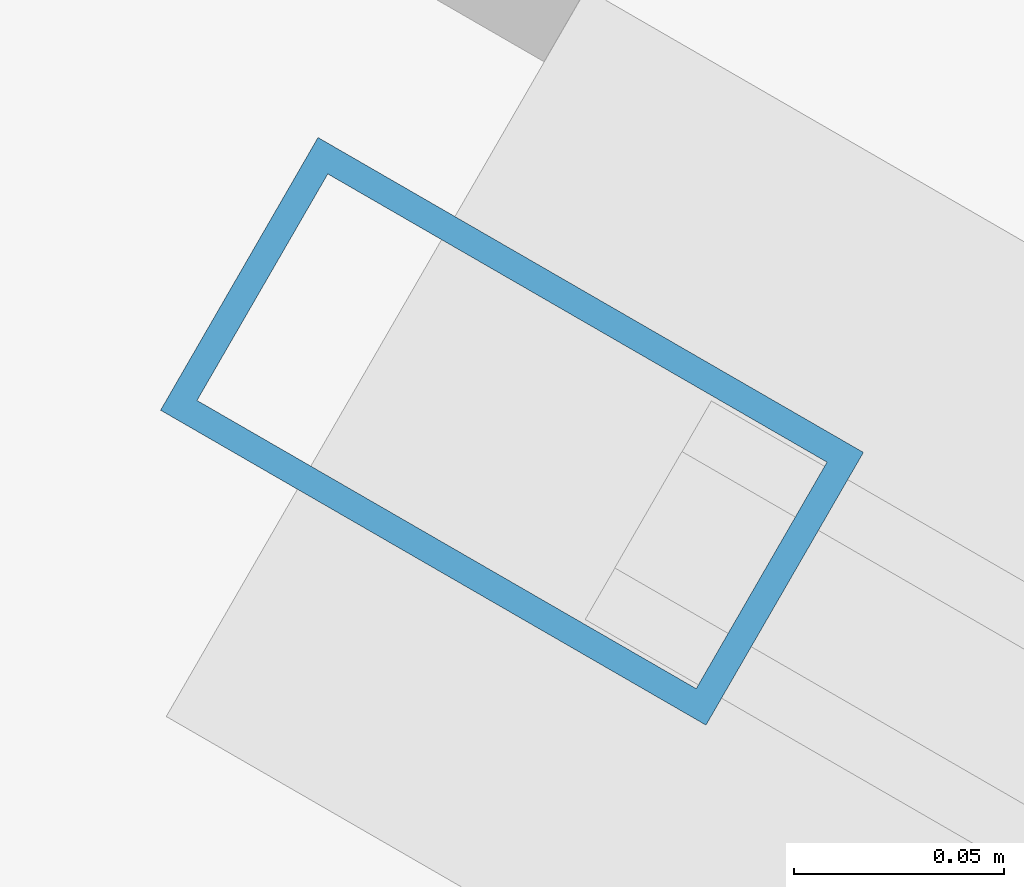
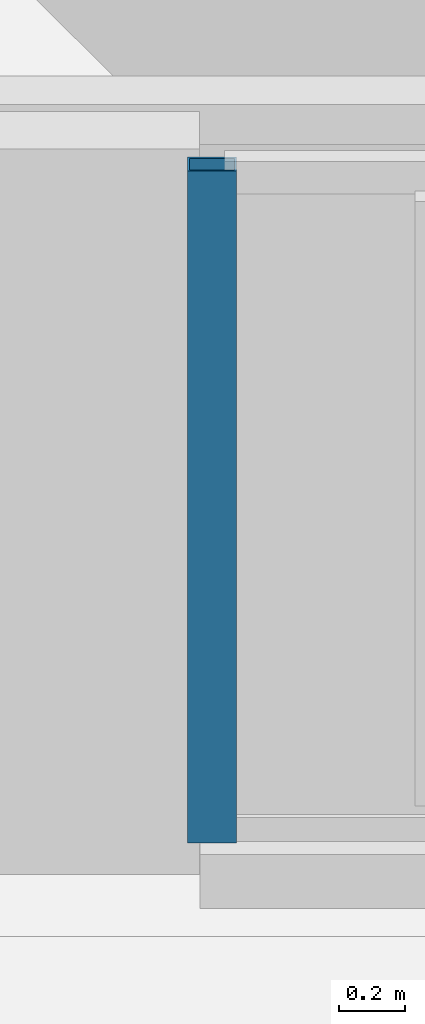
# One storey, part 4 of 18: 1 member, 1 element without a shape of its own.
"""IFC4 building model written with IfcOpenShell, lengths in metres."""

from ifc_helpers import new_model, si_unit, direction, frame, origin, origin_2d, place, context, subcontext, project, spatial, hollow_rectangle, extrude, material, layer, layer_set, material_profile, profile_set, type_object, element, aggregate, save


model = new_model("IFC4")

# Units and contexts
model_context = context("Model", 3, precision=1e-05, world=origin(), true_north=direction((0.0, 1.0)))
body_context = subcontext(model_context, "Body", "Model", "MODEL_VIEW")
ifc_project = project(units=[si_unit("LENGTHUNIT", "METRE"), si_unit("AREAUNIT", "SQUARE_METRE"), si_unit("VOLUMEUNIT", "CUBIC_METRE"), si_unit("PLANEANGLEUNIT", "RADIAN"), si_unit("MASSUNIT", "GRAM", prefix="KILO")], contexts=[model_context])

# Site, building, storey
site_placement = place(None, origin())
site = spatial("IfcSite", under=ifc_project, at=site_placement, CompositionType="ELEMENT")
building_placement = place(site_placement, origin())
building = spatial("IfcBuilding", under=site, at=building_placement, Name="Mersakhor Tower and Convention Hall", CompositionType="ELEMENT")
storey_placement = place(building_placement, frame((0.0, 0.0, 239.699951171875)))
storey = spatial("IfcBuildingStorey", under=building, at=storey_placement, Name="L67", CompositionType="ELEMENT", Elevation=239.699951171875)

# Curtain wall, member
ifc_material_1 = material(Name="Dark solar low-E aluminium curtain wall", Category="aluminium")
ifc_layer = layer(ifc_material_1, 0.179931640625)
ifc_layer_set = layer_set([ifc_layer], Name="Dark solar low-E aluminium curtain wall")
curtain_wall_type = type_object("IfcCurtainWallType", Name="CW-SYS-03", PredefinedType="USERDEFINED", material=ifc_layer_set)
curtain_wall_placement = place(storey_placement, origin())
curtain_wall = element("IfcCurtainWall", 1, at=curtain_wall_placement, inside=storey, type_object=curtain_wall_type, Name="L67 Dark-Glass Curtain Wall F3-B2", ObjectType="CURTAIN WALL", PredefinedType="USERDEFINED")
ifc_material_2 = material(Name="Anodised aluminium EN AW-6063 T6", Category="aluminium")
ifc_material_profile = material_profile(ifc_material_2, hollow_rectangle(XDim=0.074951171875, YDim=0.14990234375, WallThickness=0.00634765625, at=origin_2d()), Name="RHS 150x75x6.3")
ifc_profile_set = profile_set([ifc_material_profile], Name="Anodised aluminium EN AW-6063 T6")
member_type = type_object("IfcMemberType", Name="CWM-150x75", PredefinedType="MULLION", material=ifc_profile_set)
member_placement = place(storey_placement, frame((20.098388671875, 19.484619140625, 0.199951171875), z_axis=(0.0, 0.0, 1.0), x_axis=(-0.500004411169, -0.86602285698, 0.0)))
member = element("IfcMember", 2, at=member_placement, type_object=member_type, Name="CW-03 mullion 3", PredefinedType="MULLION", context=body_context, shape_type="SweptSolid", body=[
    extrude(hollow_rectangle(XDim=0.074951171875, YDim=0.14990234375, WallThickness=0.00634765625, at=origin_2d()), origin(), (0.0, 0.0, 1.0), 2.5),
])
aggregate(curtain_wall, [member])

save(model, "model.ifc")
